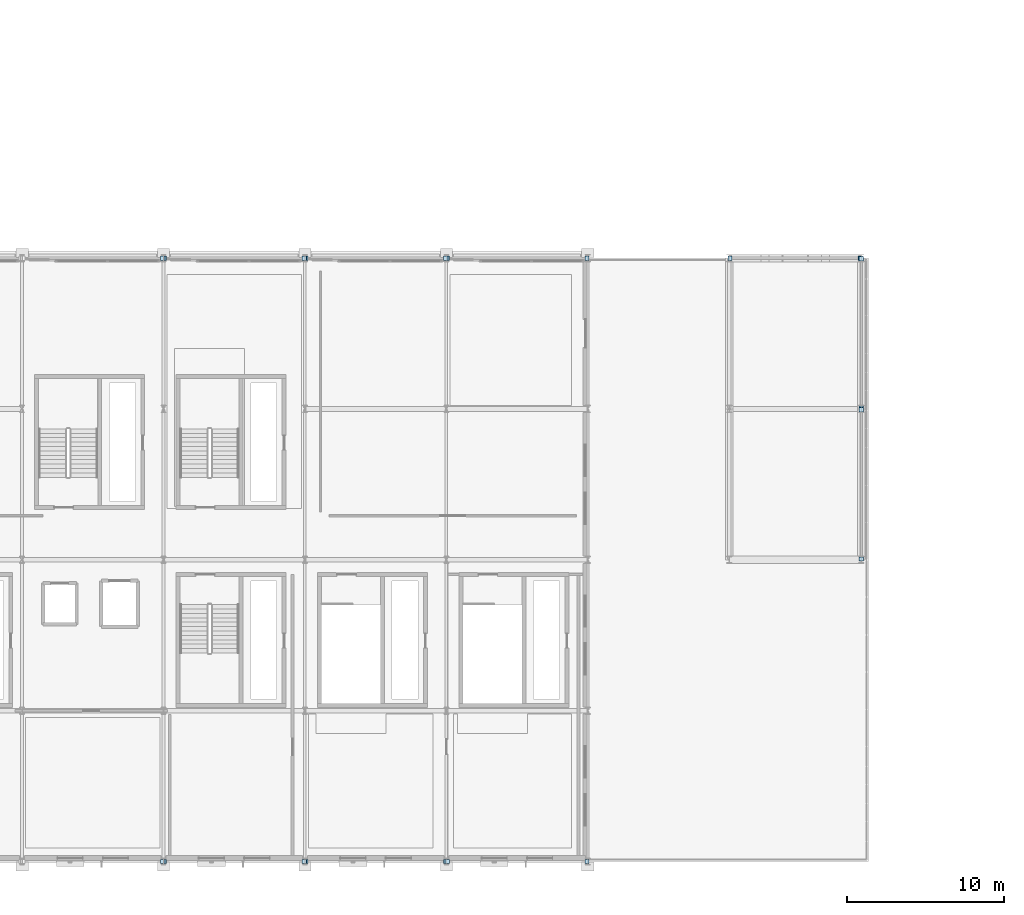
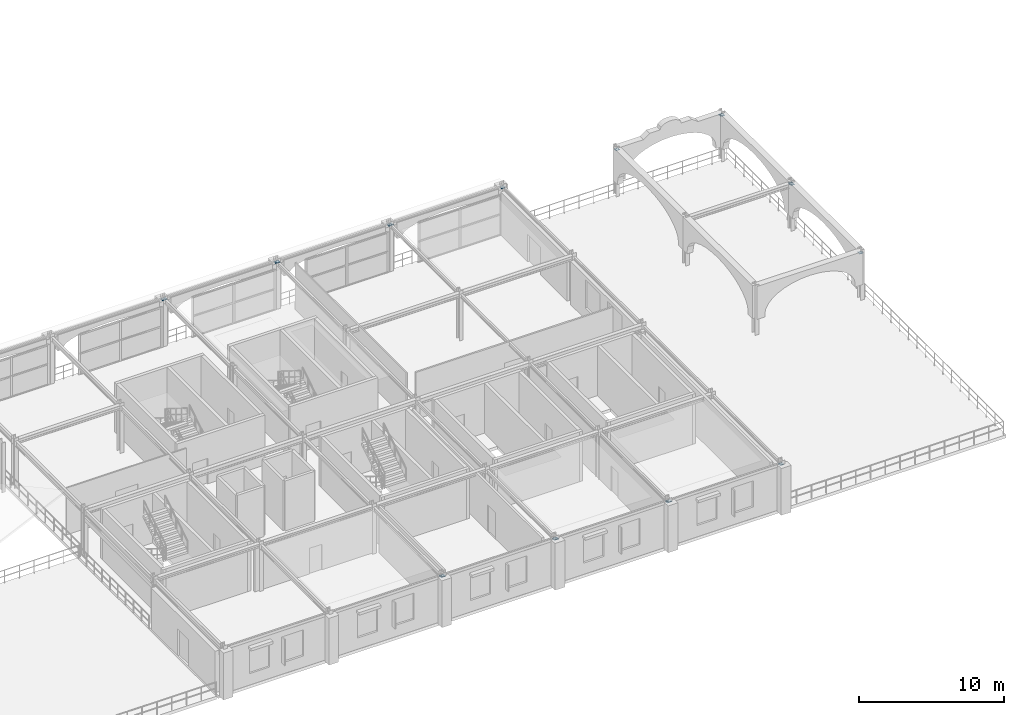
# One storey, part 42 of 81: 20 plates.
"""IFC4 building model written with IfcOpenShell, lengths in metres."""

from ifc_helpers import new_model, si_unit, direction, frame, origin, origin_2d, place, context, subcontext, project, spatial, rectangle, extrude, material, layer, layer_set, type_object, element, save


model = new_model("IFC4")

# Units and contexts
model_context = context("Model", 3, precision=1e-05, world=origin(), true_north=direction((0.0, 1.0)))
body_context = subcontext(model_context, "Body", "Model", "MODEL_VIEW")
ifc_project = project(units=[si_unit("LENGTHUNIT", "METRE"), si_unit("AREAUNIT", "SQUARE_METRE"), si_unit("VOLUMEUNIT", "CUBIC_METRE"), si_unit("PLANEANGLEUNIT", "RADIAN"), si_unit("MASSUNIT", "GRAM", prefix="KILO")], contexts=[model_context])

# Site, building, storey
site_placement = place(None, origin())
site = spatial("IfcSite", under=ifc_project, at=site_placement, CompositionType="ELEMENT")
building_placement = place(site_placement, origin())
building = spatial("IfcBuilding", under=site, at=building_placement, Name="Myrtia Square Station", CompositionType="ELEMENT")
storey_placement = place(building_placement, frame((0.0, 0.0, 10.800048828125)))
storey = spatial("IfcBuildingStorey", under=building, at=storey_placement, Name="L02", CompositionType="ELEMENT", Elevation=10.800048828125)

# Plates
ifc_material = material(Name="Steel S355", Category="steel")
ifc_layer = layer(ifc_material, 0.01611328125, Name="Steel S355")
ifc_layer_set = layer_set([ifc_layer], Name="Steel S355")
plate_type = type_object("IfcPlateType", Name="PLT-GUS16", PredefinedType="USERDEFINED", material=ifc_layer_set)
for number, where, z_axis, x_axis, name in (
    (1, (134.949951171875, 0.0, 3.826904296875), (0.0, 0.0, 1.0), (1.0, 0.0, 0.0), "Truss node gusset plate SPN-L02-0197-2"),
    (2, (135.050048828125, 0.0, 3.826904296875), (0.0, 0.0, 1.0), (1.0, 0.0, 0.0), "Truss node gusset plate SPN-L02-0198-1"),
    (3, (143.949951171875, 0.0, 3.826904296875), (0.0, 0.0, 1.0), (1.0, 0.0, 0.0), "Truss node gusset plate SPN-L02-0198-2"),
    (4, (144.050048828125, 0.0, 3.802001953125), (0.0, 0.0, 1.0), (1.0, 0.0, 0.0), "Truss node gusset plate SPN-L02-0199-1"),
    (5, (152.949951171875, 0.0, 3.802001953125), (0.0, 0.0, 1.0), (1.0, 0.0, 0.0), "Truss node gusset plate SPN-L02-0199-2"),
    (6, (153.050048828125, 0.0, 3.802001953125), (0.0, 0.0, 1.0), (1.0, 0.0, 0.0), "Truss node gusset plate SPN-L02-0200-1"),
    (7, (161.949951171875, 0.0, 3.802001953125), (0.0, 0.0, 1.0), (1.0, 0.0, 0.0), "Truss node gusset plate SPN-L02-0200-2"),
    (8, (134.949951171875, 38.39990234375, 3.826904296875), (0.0, 0.0, 1.0), (1.0, 0.0, 0.0), "Truss node gusset plate SPN-L02-0202-2"),
    (9, (135.050048828125, 38.39990234375, 3.826904296875), (0.0, 0.0, 1.0), (1.0, 0.0, 0.0), "Truss node gusset plate SPN-L02-0203-1"),
    (10, (143.949951171875, 38.39990234375, 3.826904296875), (0.0, 0.0, 1.0), (1.0, 0.0, 0.0), "Truss node gusset plate SPN-L02-0203-2"),
    (11, (144.050048828125, 38.39990234375, 3.802001953125), (0.0, 0.0, 1.0), (1.0, 0.0, 0.0), "Truss node gusset plate SPN-L02-0204-1"),
    (12, (152.949951171875, 38.39990234375, 3.802001953125), (0.0, 0.0, 1.0), (1.0, 0.0, 0.0), "Truss node gusset plate SPN-L02-0204-2"),
    (13, (153.050048828125, 38.39990234375, 3.802001953125), (0.0, 0.0, 1.0), (1.0, 0.0, 0.0), "Truss node gusset plate SPN-L02-0205-1"),
    (14, (161.949951171875, 38.39990234375, 3.802001953125), (0.0, 0.0, 1.0), (1.0, 0.0, 0.0), "Truss node gusset plate SPN-L02-0205-2"),
    (15, (171.050048828125, 38.39990234375, 3.82177734375), (0.0, 0.0, 1.0), (1.0, 0.0, 0.0), "Truss node gusset plate SPN-L02-0206-1"),
    (16, (179.35009765625, 38.39990234375, 3.82177734375), (0.0, 0.0, 1.0), (1.0, 0.0, 0.0), "Truss node gusset plate SPN-L02-0206-2"),
    (17, (179.39990234375, 19.25, 3.82177734375), (0.0, 0.0, 1.0), (0.0, 1.0, 0.0), "Truss node gusset plate SPNY-L02-0207-1"),
    (18, (179.39990234375, 28.75, 3.82177734375), (0.0, 0.0, 1.0), (0.0, 1.0, 0.0), "Truss node gusset plate SPNY-L02-0207-2"),
    (19, (179.39990234375, 28.85009765625, 3.82177734375), (0.0, 0.0, 1.0), (0.0, 1.0, 0.0), "Truss node gusset plate SPNY-L02-0208-1"),
    (20, (179.39990234375, 38.35009765625, 3.82177734375), (0.0, 0.0, 1.0), (0.0, 1.0, 0.0), "Truss node gusset plate SPNY-L02-0208-2"),
):
    element("IfcPlate", number, at=place(storey_placement, frame(where, z_axis=z_axis, x_axis=x_axis)), inside=storey, type_object=plate_type, Name=name, ObjectType="GUSSET PLATE", PredefinedType="USERDEFINED", context=body_context, shape_type="SweptSolid", body=[
        extrude(rectangle(XDim=0.280029296875, YDim=0.280029296875, at=origin_2d()), origin(), (0.0, 0.0, 1.0), 0.01611328125),
    ])

save(model, "model.ifc")
